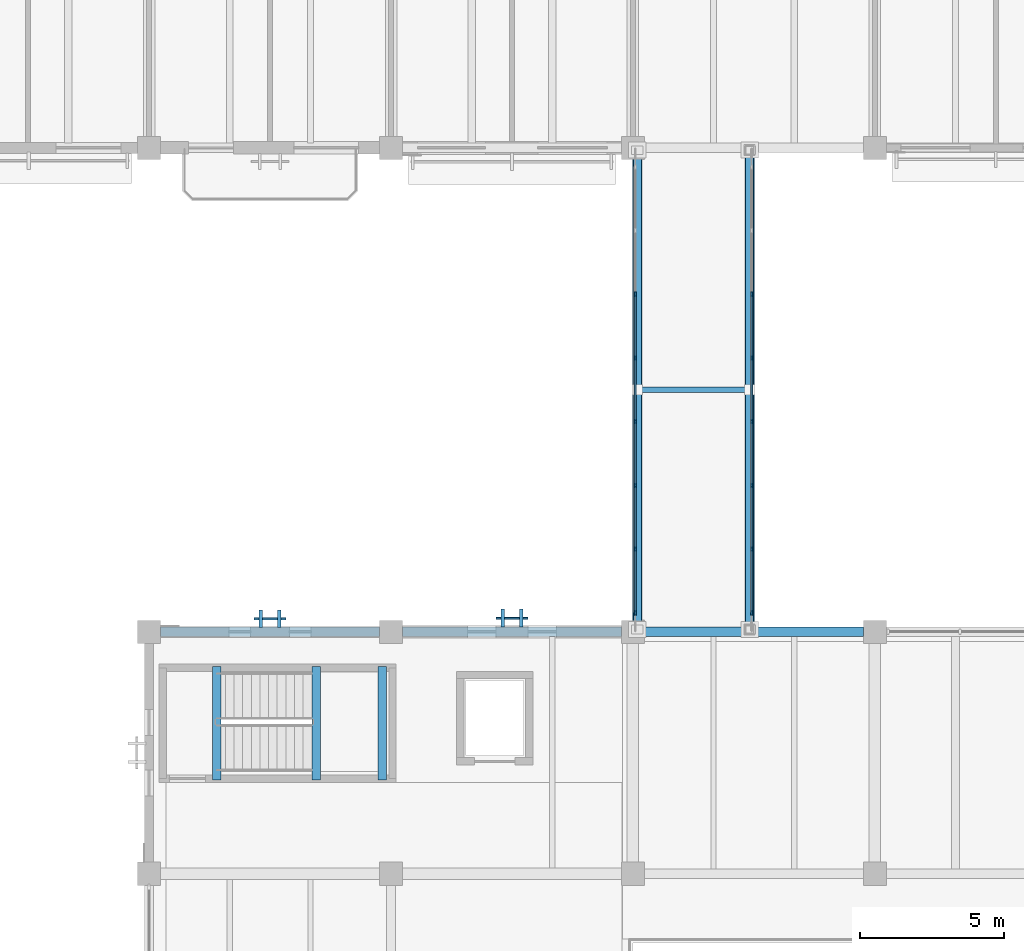
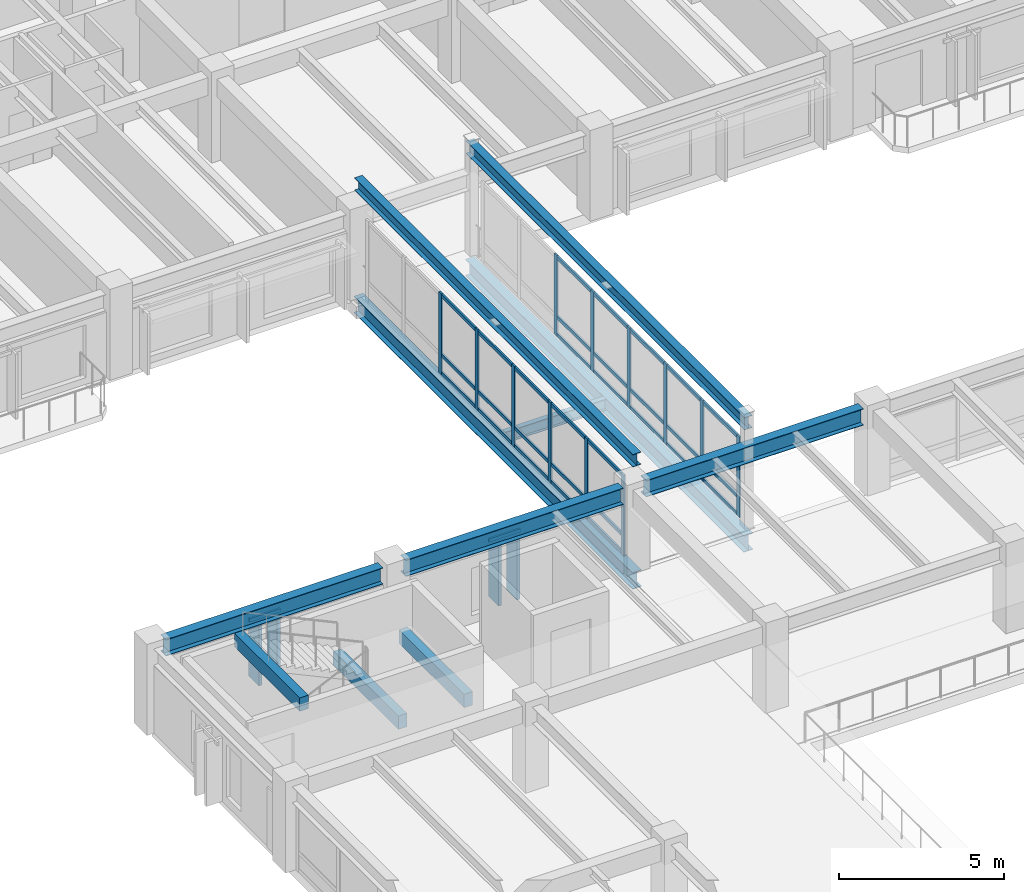
# One storey, part 14 of 123: 48 members, 11 beams, 4 elements without a shape of their own.
"""IFC4 building model written with IfcOpenShell, lengths in metres."""

from ifc_helpers import new_model, si_unit, direction, frame, origin, origin_2d, place, context, subcontext, project, spatial, rectangle, i_section, extrude, material, material_profile, profile_set, type_object, element, aggregate, save


model = new_model("IFC4")

# Units and contexts
model_context = context("Model", 3, precision=1e-05, world=origin(), true_north=direction((0.0, 1.0)))
body_context = subcontext(model_context, "Body", "Model", "MODEL_VIEW")
ifc_project = project(units=[si_unit("LENGTHUNIT", "METRE"), si_unit("AREAUNIT", "SQUARE_METRE"), si_unit("VOLUMEUNIT", "CUBIC_METRE"), si_unit("PLANEANGLEUNIT", "RADIAN"), si_unit("MASSUNIT", "GRAM", prefix="KILO")], contexts=[model_context])

# Site, building, storey
site_placement = place(None, origin())
site = spatial("IfcSite", under=ifc_project, at=site_placement, CompositionType="ELEMENT")
building_placement = place(site_placement, origin())
building = spatial("IfcBuilding", under=site, at=building_placement, Name="Cumbredor Promenade Congress Hotel", CompositionType="ELEMENT")
storey_placement = place(building_placement, frame((0.0, 0.0, 11.760009765625)))
storey = spatial("IfcBuildingStorey", under=building, at=storey_placement, Name="L03", CompositionType="ELEMENT", Elevation=11.760009765625)

# Beams
ifc_material_1 = material(Name="Steel ASTM A992 Grade 50", Category="steel")
ifc_material_profile_1 = material_profile(ifc_material_1, i_section(OverallWidth=0.323974609375, OverallDepth=0.611083984375, WebThickness=0.0126953125, FlangeThickness=0.01904296875, at=origin_2d()), Name="W24X104")
ifc_profile_set_1 = profile_set([ifc_material_profile_1], Name="Steel ASTM A992 Grade 50")
beam_type_1 = type_object("IfcBeamType", Name="BM-W24X104", PredefinedType="BEAM", material=ifc_profile_set_1)
beam_1_placement = place(storey_placement, frame((8.800048828125, 67.199951171875, 2.814453125), z_axis=(1.0, 0.0, 0.0), x_axis=(0.0, 1.0, 0.0)))
element("IfcBeam", 1, at=beam_1_placement, inside=storey, type_object=beam_type_1, Name="L04 X-Grid Beam 024", PredefinedType="BEAM", context=body_context, shape_type="SweptSolid", body=[
    extrude(i_section(OverallWidth=0.323974609375, OverallDepth=0.611083984375, WebThickness=0.0126953125, FlangeThickness=0.01904296875, at=origin_2d()), origin(), (0.0, 0.0, 1.0), 7.599853515625),
])
beam_2_placement = place(storey_placement, frame((17.199951171875, 67.199951171875, 2.814453125), z_axis=(1.0, 0.0, 0.0), x_axis=(0.0, 1.0, 0.0)))
element("IfcBeam", 2, at=beam_2_placement, inside=storey, type_object=beam_type_1, Name="L04 X-Grid Beam 042", PredefinedType="BEAM", context=body_context, shape_type="SweptSolid", body=[
    extrude(i_section(OverallWidth=0.323974609375, OverallDepth=0.611083984375, WebThickness=0.0126953125, FlangeThickness=0.01904296875, at=origin_2d()), origin(), (0.0, 0.0, 1.0), 7.60009765625),
])
beam_3_placement = place(storey_placement, frame((25.60009765625, 67.199951171875, 2.814453125), z_axis=(1.0, 0.0, 0.0), x_axis=(0.0, 1.0, 0.0)))
element("IfcBeam", 3, at=beam_3_placement, inside=storey, type_object=beam_type_1, Name="L04 X-Grid Beam 055", PredefinedType="BEAM", context=body_context, shape_type="SweptSolid", body=[
    extrude(i_section(OverallWidth=0.323974609375, OverallDepth=0.611083984375, WebThickness=0.0126953125, FlangeThickness=0.01904296875, at=origin_2d()), origin(), (0.0, 0.0, 1.0), 7.599853515625),
])
for number, where, z_axis, x_axis, name in (
    (4, (25.35009765625, 67.159912109375, -0.525390625), (0.0, 1.0, 0.0), (-1.0, 0.0, 0.0), "L03 West Congress-to-Hotel Glazed Bridge Edge Girder 1"),
    (5, (29.25, 67.159912109375, -0.525390625), (0.0, 1.0, 0.0), (-1.0, 0.0, 0.0), "L03 West Congress-to-Hotel Glazed Bridge Edge Girder 2"),
):
    element("IfcBeam", number, at=place(storey_placement, frame(where, z_axis=z_axis, x_axis=x_axis)), inside=storey, type_object=beam_type_1, Name=name, PredefinedType="BEAM", context=body_context, shape_type="SweptSolid", body=[
        extrude(i_section(OverallWidth=0.323974609375, OverallDepth=0.611083984375, WebThickness=0.0126953125, FlangeThickness=0.01904296875, at=origin_2d()), origin(), (0.0, 0.0, 1.0), 16.880126953125),
    ])

# Curtain wall, members
ifc_material_2 = material(Name="Thermally broken anodized aluminium and low-E glass", Category="aluminium")
curtain_wall_type_1 = type_object("IfcCurtainWallType", Name="Unitised Bridge Glazing Screen CW-05", PredefinedType="NOTDEFINED", material=ifc_material_2)
curtain_wall_1_placement = place(storey_placement, origin())
curtain_wall_1 = element("IfcCurtainWall", 6, at=curtain_wall_1_placement, inside=storey, type_object=curtain_wall_type_1, Name="L03 West Congress-to-Hotel Glazed Bridge West Glazing Screen", PredefinedType="NOTDEFINED")
ifc_material_3 = material(Name="Thermally broken anodized aluminium", Category="aluminium")
ifc_material_profile_2 = material_profile(ifc_material_3, rectangle(XDim=0.06494140625, YDim=0.159912109375, at=origin_2d()), Name="ALU MULLION 65x160")
ifc_profile_set_2 = profile_set([ifc_material_profile_2], Name="Thermally broken anodized aluminium")
member_type_1 = type_object("IfcMemberType", Name="Curtain Wall Mullion ML-01", PredefinedType="MULLION", material=ifc_profile_set_2)
member_1_placement = place(storey_placement, frame((25.280029296875, 67.860107421875, -0.008056640625), z_axis=(0.0, 0.0, 1.0), x_axis=(1.0, 0.0, 0.0)))
member_1 = element("IfcMember", 7, at=member_1_placement, type_object=member_type_1, Name="L03 West Congress-to-Hotel Glazed Bridge West Glazing Screen Mullion 1", PredefinedType="MULLION", context=body_context, shape_type="SweptSolid", body=[
    extrude(rectangle(XDim=0.06494140625, YDim=0.159912109375, at=origin_2d()), origin(), (0.0, 0.0, 1.0), 2.99609375),
])
member_2_placement = place(storey_placement, frame((25.280029296875, 70.0712890625, -0.008056640625), z_axis=(0.0, 0.0, 1.0), x_axis=(1.0, 0.0, 0.0)))
member_2 = element("IfcMember", 8, at=member_2_placement, type_object=member_type_1, Name="L03 West Congress-to-Hotel Glazed Bridge West Glazing Screen Mullion 2", PredefinedType="MULLION", context=body_context, shape_type="SweptSolid", body=[
    extrude(rectangle(XDim=0.06494140625, YDim=0.159912109375, at=origin_2d()), origin(), (0.0, 0.0, 1.0), 2.99609375),
])
member_3_placement = place(storey_placement, frame((25.280029296875, 72.282958984375, -0.008056640625), z_axis=(0.0, 0.0, 1.0), x_axis=(1.0, 0.0, 0.0)))
member_3 = element("IfcMember", 9, at=member_3_placement, type_object=member_type_1, Name="L03 West Congress-to-Hotel Glazed Bridge West Glazing Screen Mullion 3", PredefinedType="MULLION", context=body_context, shape_type="SweptSolid", body=[
    extrude(rectangle(XDim=0.06494140625, YDim=0.159912109375, at=origin_2d()), origin(), (0.0, 0.0, 1.0), 2.99609375),
])
member_4_placement = place(storey_placement, frame((25.280029296875, 74.494384765625, -0.008056640625), z_axis=(0.0, 0.0, 1.0), x_axis=(1.0, 0.0, 0.0)))
member_4 = element("IfcMember", 10, at=member_4_placement, type_object=member_type_1, Name="L03 West Congress-to-Hotel Glazed Bridge West Glazing Screen Mullion 4", PredefinedType="MULLION", context=body_context, shape_type="SweptSolid", body=[
    extrude(rectangle(XDim=0.06494140625, YDim=0.159912109375, at=origin_2d()), origin(), (0.0, 0.0, 1.0), 2.99609375),
])
member_5_placement = place(storey_placement, frame((25.280029296875, 76.705810546875, -0.008056640625), z_axis=(0.0, 0.0, 1.0), x_axis=(1.0, 0.0, 0.0)))
member_5 = element("IfcMember", 11, at=member_5_placement, type_object=member_type_1, Name="L03 West Congress-to-Hotel Glazed Bridge West Glazing Screen Mullion 5", PredefinedType="MULLION", context=body_context, shape_type="SweptSolid", body=[
    extrude(rectangle(XDim=0.06494140625, YDim=0.159912109375, at=origin_2d()), origin(), (0.0, 0.0, 1.0), 2.99609375),
])
member_6_placement = place(storey_placement, frame((25.280029296875, 78.9169921875, -0.008056640625), z_axis=(0.0, 0.0, 1.0), x_axis=(1.0, 0.0, 0.0)))
member_6 = element("IfcMember", 12, at=member_6_placement, type_object=member_type_1, Name="L03 West Congress-to-Hotel Glazed Bridge West Glazing Screen Mullion 6", PredefinedType="MULLION", context=body_context, shape_type="SweptSolid", body=[
    extrude(rectangle(XDim=0.06494140625, YDim=0.159912109375, at=origin_2d()), origin(), (0.0, 0.0, 1.0), 2.99609375),
])

curtain_wall_2_placement = place(storey_placement, origin())
curtain_wall_2 = element("IfcCurtainWall", 13, at=curtain_wall_2_placement, inside=storey, type_object=curtain_wall_type_1, Name="L03 West Congress-to-Hotel Glazed Bridge East Glazing Screen", PredefinedType="NOTDEFINED")
member_7_placement = place(storey_placement, frame((29.320068359375, 67.860107421875, -0.008056640625), z_axis=(0.0, 0.0, 1.0), x_axis=(1.0, 0.0, 0.0)))
member_7 = element("IfcMember", 14, at=member_7_placement, type_object=member_type_1, Name="L03 West Congress-to-Hotel Glazed Bridge East Glazing Screen Mullion 1", PredefinedType="MULLION", context=body_context, shape_type="SweptSolid", body=[
    extrude(rectangle(XDim=0.06494140625, YDim=0.159912109375, at=origin_2d()), origin(), (0.0, 0.0, 1.0), 2.99609375),
])
member_8_placement = place(storey_placement, frame((29.320068359375, 70.0712890625, -0.008056640625), z_axis=(0.0, 0.0, 1.0), x_axis=(1.0, 0.0, 0.0)))
member_8 = element("IfcMember", 15, at=member_8_placement, type_object=member_type_1, Name="L03 West Congress-to-Hotel Glazed Bridge East Glazing Screen Mullion 2", PredefinedType="MULLION", context=body_context, shape_type="SweptSolid", body=[
    extrude(rectangle(XDim=0.06494140625, YDim=0.159912109375, at=origin_2d()), origin(), (0.0, 0.0, 1.0), 2.99609375),
])
member_9_placement = place(storey_placement, frame((29.320068359375, 72.282958984375, -0.008056640625), z_axis=(0.0, 0.0, 1.0), x_axis=(1.0, 0.0, 0.0)))
member_9 = element("IfcMember", 16, at=member_9_placement, type_object=member_type_1, Name="L03 West Congress-to-Hotel Glazed Bridge East Glazing Screen Mullion 3", PredefinedType="MULLION", context=body_context, shape_type="SweptSolid", body=[
    extrude(rectangle(XDim=0.06494140625, YDim=0.159912109375, at=origin_2d()), origin(), (0.0, 0.0, 1.0), 2.99609375),
])
member_10_placement = place(storey_placement, frame((29.320068359375, 74.494384765625, -0.008056640625), z_axis=(0.0, 0.0, 1.0), x_axis=(1.0, 0.0, 0.0)))
member_10 = element("IfcMember", 17, at=member_10_placement, type_object=member_type_1, Name="L03 West Congress-to-Hotel Glazed Bridge East Glazing Screen Mullion 4", PredefinedType="MULLION", context=body_context, shape_type="SweptSolid", body=[
    extrude(rectangle(XDim=0.06494140625, YDim=0.159912109375, at=origin_2d()), origin(), (0.0, 0.0, 1.0), 2.99609375),
])
member_11_placement = place(storey_placement, frame((29.320068359375, 76.705810546875, -0.008056640625), z_axis=(0.0, 0.0, 1.0), x_axis=(1.0, 0.0, 0.0)))
member_11 = element("IfcMember", 18, at=member_11_placement, type_object=member_type_1, Name="L03 West Congress-to-Hotel Glazed Bridge East Glazing Screen Mullion 5", PredefinedType="MULLION", context=body_context, shape_type="SweptSolid", body=[
    extrude(rectangle(XDim=0.06494140625, YDim=0.159912109375, at=origin_2d()), origin(), (0.0, 0.0, 1.0), 2.99609375),
])
member_12_placement = place(storey_placement, frame((29.320068359375, 78.9169921875, -0.008056640625), z_axis=(0.0, 0.0, 1.0), x_axis=(1.0, 0.0, 0.0)))
member_12 = element("IfcMember", 19, at=member_12_placement, type_object=member_type_1, Name="L03 West Congress-to-Hotel Glazed Bridge East Glazing Screen Mullion 6", PredefinedType="MULLION", context=body_context, shape_type="SweptSolid", body=[
    extrude(rectangle(XDim=0.06494140625, YDim=0.159912109375, at=origin_2d()), origin(), (0.0, 0.0, 1.0), 2.99609375),
])

# Curtain wall, member
curtain_wall_type_2 = type_object("IfcCurtainWallType", Name="Solar Brise-Soleil Screen Assembly CW-07", PredefinedType="NOTDEFINED", material=ifc_material_2)
curtain_wall_3_placement = place(storey_placement, origin())
curtain_wall_3 = element("IfcCurtainWall", 20, at=curtain_wall_3_placement, inside=storey, type_object=curtain_wall_type_2, Name="L03 Pier Brise-Soleil Screen 0535", PredefinedType="NOTDEFINED")
ifc_material_profile_3 = material_profile(ifc_material_3, rectangle(XDim=0.06494140625, YDim=0.1298828125, at=origin_2d()), Name="ALU TRANSOM 65x130")
ifc_profile_set_3 = profile_set([ifc_material_profile_3], Name="Thermally broken anodized aluminium")
member_type_2 = type_object("IfcMemberType", Name="Curtain Wall Transom TR-01", PredefinedType="USERDEFINED", material=ifc_profile_set_3)
member_13_placement = place(storey_placement, frame((12.050048828125, 67.64990234375, 2.333984375), z_axis=(1.0, 0.0, 0.0), x_axis=(0.0, 1.0, 0.0)))
member_13 = element("IfcMember", 21, at=member_13_placement, type_object=member_type_2, Name="L03 Pier Brise-Soleil Header 0537", ObjectType="TRANSOM", PredefinedType="USERDEFINED", context=body_context, shape_type="SweptSolid", body=[
    extrude(rectangle(XDim=0.06494140625, YDim=0.1298828125, at=origin_2d()), origin(), (0.0, 0.0, 1.0), 1.099853515625),
])

curtain_wall_4_placement = place(storey_placement, origin())
curtain_wall_4 = element("IfcCurtainWall", 22, at=curtain_wall_4_placement, inside=storey, type_object=curtain_wall_type_2, Name="L03 Pier Brise-Soleil Screen 0538", PredefinedType="NOTDEFINED")
member_14_placement = place(storey_placement, frame((20.449951171875, 67.672607421875, 2.333984375), z_axis=(1.0, 0.0, 0.0), x_axis=(0.0, 1.0, 0.0)))
member_14 = element("IfcMember", 23, at=member_14_placement, type_object=member_type_2, Name="L03 Pier Brise-Soleil Header 0540", ObjectType="TRANSOM", PredefinedType="USERDEFINED", context=body_context, shape_type="SweptSolid", body=[
    extrude(rectangle(XDim=0.06494140625, YDim=0.1298828125, at=origin_2d()), origin(), (0.0, 0.0, 1.0), 1.10009765625),
])

# Member
member_15_placement = place(storey_placement, frame((25.280029296875, 67.892578125, 0.06005859375), z_axis=(0.0, 1.0, 0.0), x_axis=(-1.0, 0.0, 0.0)))
member_15 = element("IfcMember", 24, at=member_15_placement, type_object=member_type_2, Name="L03 West Congress-to-Hotel Glazed Bridge West Glazing Screen Transom 1.1", ObjectType="TRANSOM", PredefinedType="USERDEFINED", context=body_context, shape_type="SweptSolid", body=[
    extrude(rectangle(XDim=0.06494140625, YDim=0.1298828125, at=origin_2d()), origin(), (0.0, 0.0, 1.0), 2.146240234375),
])

member_16_placement = place(storey_placement, frame((25.280029296875, 67.892578125, 0.719970703125), z_axis=(0.0, 1.0, 0.0), x_axis=(-1.0, 0.0, 0.0)))
member_16 = element("IfcMember", 25, at=member_16_placement, type_object=member_type_2, Name="L03 West Congress-to-Hotel Glazed Bridge West Glazing Screen Transom 1.2", ObjectType="TRANSOM", PredefinedType="USERDEFINED", context=body_context, shape_type="SweptSolid", body=[
    extrude(rectangle(XDim=0.06494140625, YDim=0.1298828125, at=origin_2d()), origin(), (0.0, 0.0, 1.0), 2.146240234375),
])

member_17_placement = place(storey_placement, frame((25.280029296875, 67.892578125, 2.919921875), z_axis=(0.0, 1.0, 0.0), x_axis=(-1.0, 0.0, 0.0)))
member_17 = element("IfcMember", 26, at=member_17_placement, type_object=member_type_2, Name="L03 West Congress-to-Hotel Glazed Bridge West Glazing Screen Transom 1.3", ObjectType="TRANSOM", PredefinedType="USERDEFINED", context=body_context, shape_type="SweptSolid", body=[
    extrude(rectangle(XDim=0.06494140625, YDim=0.1298828125, at=origin_2d()), origin(), (0.0, 0.0, 1.0), 2.146240234375),
])

member_18_placement = place(storey_placement, frame((25.280029296875, 70.10400390625, 0.06005859375), z_axis=(0.0, 1.0, 0.0), x_axis=(-1.0, 0.0, 0.0)))
member_18 = element("IfcMember", 27, at=member_18_placement, type_object=member_type_2, Name="L03 West Congress-to-Hotel Glazed Bridge West Glazing Screen Transom 2.1", ObjectType="TRANSOM", PredefinedType="USERDEFINED", context=body_context, shape_type="SweptSolid", body=[
    extrude(rectangle(XDim=0.06494140625, YDim=0.1298828125, at=origin_2d()), origin(), (0.0, 0.0, 1.0), 2.146484375),
])

member_19_placement = place(storey_placement, frame((25.280029296875, 70.10400390625, 0.719970703125), z_axis=(0.0, 1.0, 0.0), x_axis=(-1.0, 0.0, 0.0)))
member_19 = element("IfcMember", 28, at=member_19_placement, type_object=member_type_2, Name="L03 West Congress-to-Hotel Glazed Bridge West Glazing Screen Transom 2.2", ObjectType="TRANSOM", PredefinedType="USERDEFINED", context=body_context, shape_type="SweptSolid", body=[
    extrude(rectangle(XDim=0.06494140625, YDim=0.1298828125, at=origin_2d()), origin(), (0.0, 0.0, 1.0), 2.146484375),
])

member_20_placement = place(storey_placement, frame((25.280029296875, 70.10400390625, 2.919921875), z_axis=(0.0, 1.0, 0.0), x_axis=(-1.0, 0.0, 0.0)))
member_20 = element("IfcMember", 29, at=member_20_placement, type_object=member_type_2, Name="L03 West Congress-to-Hotel Glazed Bridge West Glazing Screen Transom 2.3", ObjectType="TRANSOM", PredefinedType="USERDEFINED", context=body_context, shape_type="SweptSolid", body=[
    extrude(rectangle(XDim=0.06494140625, YDim=0.1298828125, at=origin_2d()), origin(), (0.0, 0.0, 1.0), 2.146484375),
])

member_21_placement = place(storey_placement, frame((25.280029296875, 72.3154296875, 0.06005859375), z_axis=(0.0, 1.0, 0.0), x_axis=(-1.0, 0.0, 0.0)))
member_21 = element("IfcMember", 30, at=member_21_placement, type_object=member_type_2, Name="L03 West Congress-to-Hotel Glazed Bridge West Glazing Screen Transom 3.1", ObjectType="TRANSOM", PredefinedType="USERDEFINED", context=body_context, shape_type="SweptSolid", body=[
    extrude(rectangle(XDim=0.06494140625, YDim=0.1298828125, at=origin_2d()), origin(), (0.0, 0.0, 1.0), 2.146484375),
])

member_22_placement = place(storey_placement, frame((25.280029296875, 72.3154296875, 0.719970703125), z_axis=(0.0, 1.0, 0.0), x_axis=(-1.0, 0.0, 0.0)))
member_22 = element("IfcMember", 31, at=member_22_placement, type_object=member_type_2, Name="L03 West Congress-to-Hotel Glazed Bridge West Glazing Screen Transom 3.2", ObjectType="TRANSOM", PredefinedType="USERDEFINED", context=body_context, shape_type="SweptSolid", body=[
    extrude(rectangle(XDim=0.06494140625, YDim=0.1298828125, at=origin_2d()), origin(), (0.0, 0.0, 1.0), 2.146484375),
])

member_23_placement = place(storey_placement, frame((25.280029296875, 72.3154296875, 2.919921875), z_axis=(0.0, 1.0, 0.0), x_axis=(-1.0, 0.0, 0.0)))
member_23 = element("IfcMember", 32, at=member_23_placement, type_object=member_type_2, Name="L03 West Congress-to-Hotel Glazed Bridge West Glazing Screen Transom 3.3", ObjectType="TRANSOM", PredefinedType="USERDEFINED", context=body_context, shape_type="SweptSolid", body=[
    extrude(rectangle(XDim=0.06494140625, YDim=0.1298828125, at=origin_2d()), origin(), (0.0, 0.0, 1.0), 2.146484375),
])

member_24_placement = place(storey_placement, frame((25.280029296875, 74.52685546875, 0.06005859375), z_axis=(0.0, 1.0, 0.0), x_axis=(-1.0, 0.0, 0.0)))
member_24 = element("IfcMember", 33, at=member_24_placement, type_object=member_type_2, Name="L03 West Congress-to-Hotel Glazed Bridge West Glazing Screen Transom 4.1", ObjectType="TRANSOM", PredefinedType="USERDEFINED", context=body_context, shape_type="SweptSolid", body=[
    extrude(rectangle(XDim=0.06494140625, YDim=0.1298828125, at=origin_2d()), origin(), (0.0, 0.0, 1.0), 2.146240234375),
])

member_25_placement = place(storey_placement, frame((25.280029296875, 74.52685546875, 0.719970703125), z_axis=(0.0, 1.0, 0.0), x_axis=(-1.0, 0.0, 0.0)))
member_25 = element("IfcMember", 34, at=member_25_placement, type_object=member_type_2, Name="L03 West Congress-to-Hotel Glazed Bridge West Glazing Screen Transom 4.2", ObjectType="TRANSOM", PredefinedType="USERDEFINED", context=body_context, shape_type="SweptSolid", body=[
    extrude(rectangle(XDim=0.06494140625, YDim=0.1298828125, at=origin_2d()), origin(), (0.0, 0.0, 1.0), 2.146240234375),
])

member_26_placement = place(storey_placement, frame((25.280029296875, 74.52685546875, 2.919921875), z_axis=(0.0, 1.0, 0.0), x_axis=(-1.0, 0.0, 0.0)))
member_26 = element("IfcMember", 35, at=member_26_placement, type_object=member_type_2, Name="L03 West Congress-to-Hotel Glazed Bridge West Glazing Screen Transom 4.3", ObjectType="TRANSOM", PredefinedType="USERDEFINED", context=body_context, shape_type="SweptSolid", body=[
    extrude(rectangle(XDim=0.06494140625, YDim=0.1298828125, at=origin_2d()), origin(), (0.0, 0.0, 1.0), 2.146240234375),
])

member_27_placement = place(storey_placement, frame((25.280029296875, 76.73828125, 0.06005859375), z_axis=(0.0, 1.0, 0.0), x_axis=(-1.0, 0.0, 0.0)))
member_27 = element("IfcMember", 36, at=member_27_placement, type_object=member_type_2, Name="L03 West Congress-to-Hotel Glazed Bridge West Glazing Screen Transom 5.1", ObjectType="TRANSOM", PredefinedType="USERDEFINED", context=body_context, shape_type="SweptSolid", body=[
    extrude(rectangle(XDim=0.06494140625, YDim=0.1298828125, at=origin_2d()), origin(), (0.0, 0.0, 1.0), 2.146240234375),
])

member_28_placement = place(storey_placement, frame((25.280029296875, 76.73828125, 0.719970703125), z_axis=(0.0, 1.0, 0.0), x_axis=(-1.0, 0.0, 0.0)))
member_28 = element("IfcMember", 37, at=member_28_placement, type_object=member_type_2, Name="L03 West Congress-to-Hotel Glazed Bridge West Glazing Screen Transom 5.2", ObjectType="TRANSOM", PredefinedType="USERDEFINED", context=body_context, shape_type="SweptSolid", body=[
    extrude(rectangle(XDim=0.06494140625, YDim=0.1298828125, at=origin_2d()), origin(), (0.0, 0.0, 1.0), 2.146240234375),
])

member_29_placement = place(storey_placement, frame((25.280029296875, 76.73828125, 2.919921875), z_axis=(0.0, 1.0, 0.0), x_axis=(-1.0, 0.0, 0.0)))
member_29 = element("IfcMember", 38, at=member_29_placement, type_object=member_type_2, Name="L03 West Congress-to-Hotel Glazed Bridge West Glazing Screen Transom 5.3", ObjectType="TRANSOM", PredefinedType="USERDEFINED", context=body_context, shape_type="SweptSolid", body=[
    extrude(rectangle(XDim=0.06494140625, YDim=0.1298828125, at=origin_2d()), origin(), (0.0, 0.0, 1.0), 2.146240234375),
])

aggregate(curtain_wall_1, [member_1, member_2, member_3, member_4, member_5, member_6, member_15, member_16, member_17, member_18, member_19, member_20, member_21, member_22, member_23, member_24, member_25, member_26, member_27, member_28, member_29])

member_30_placement = place(storey_placement, frame((29.320068359375, 67.892578125, 0.06005859375), z_axis=(0.0, 1.0, 0.0), x_axis=(-1.0, 0.0, 0.0)))
member_30 = element("IfcMember", 39, at=member_30_placement, type_object=member_type_2, Name="L03 West Congress-to-Hotel Glazed Bridge East Glazing Screen Transom 1.1", ObjectType="TRANSOM", PredefinedType="USERDEFINED", context=body_context, shape_type="SweptSolid", body=[
    extrude(rectangle(XDim=0.06494140625, YDim=0.1298828125, at=origin_2d()), origin(), (0.0, 0.0, 1.0), 2.146240234375),
])

member_31_placement = place(storey_placement, frame((29.320068359375, 67.892578125, 0.719970703125), z_axis=(0.0, 1.0, 0.0), x_axis=(-1.0, 0.0, 0.0)))
member_31 = element("IfcMember", 40, at=member_31_placement, type_object=member_type_2, Name="L03 West Congress-to-Hotel Glazed Bridge East Glazing Screen Transom 1.2", ObjectType="TRANSOM", PredefinedType="USERDEFINED", context=body_context, shape_type="SweptSolid", body=[
    extrude(rectangle(XDim=0.06494140625, YDim=0.1298828125, at=origin_2d()), origin(), (0.0, 0.0, 1.0), 2.146240234375),
])

member_32_placement = place(storey_placement, frame((29.320068359375, 67.892578125, 2.919921875), z_axis=(0.0, 1.0, 0.0), x_axis=(-1.0, 0.0, 0.0)))
member_32 = element("IfcMember", 41, at=member_32_placement, type_object=member_type_2, Name="L03 West Congress-to-Hotel Glazed Bridge East Glazing Screen Transom 1.3", ObjectType="TRANSOM", PredefinedType="USERDEFINED", context=body_context, shape_type="SweptSolid", body=[
    extrude(rectangle(XDim=0.06494140625, YDim=0.1298828125, at=origin_2d()), origin(), (0.0, 0.0, 1.0), 2.146240234375),
])

member_33_placement = place(storey_placement, frame((29.320068359375, 70.10400390625, 0.06005859375), z_axis=(0.0, 1.0, 0.0), x_axis=(-1.0, 0.0, 0.0)))
member_33 = element("IfcMember", 42, at=member_33_placement, type_object=member_type_2, Name="L03 West Congress-to-Hotel Glazed Bridge East Glazing Screen Transom 2.1", ObjectType="TRANSOM", PredefinedType="USERDEFINED", context=body_context, shape_type="SweptSolid", body=[
    extrude(rectangle(XDim=0.06494140625, YDim=0.1298828125, at=origin_2d()), origin(), (0.0, 0.0, 1.0), 2.146484375),
])

member_34_placement = place(storey_placement, frame((29.320068359375, 70.10400390625, 0.719970703125), z_axis=(0.0, 1.0, 0.0), x_axis=(-1.0, 0.0, 0.0)))
member_34 = element("IfcMember", 43, at=member_34_placement, type_object=member_type_2, Name="L03 West Congress-to-Hotel Glazed Bridge East Glazing Screen Transom 2.2", ObjectType="TRANSOM", PredefinedType="USERDEFINED", context=body_context, shape_type="SweptSolid", body=[
    extrude(rectangle(XDim=0.06494140625, YDim=0.1298828125, at=origin_2d()), origin(), (0.0, 0.0, 1.0), 2.146484375),
])

member_35_placement = place(storey_placement, frame((29.320068359375, 70.10400390625, 2.919921875), z_axis=(0.0, 1.0, 0.0), x_axis=(-1.0, 0.0, 0.0)))
member_35 = element("IfcMember", 44, at=member_35_placement, type_object=member_type_2, Name="L03 West Congress-to-Hotel Glazed Bridge East Glazing Screen Transom 2.3", ObjectType="TRANSOM", PredefinedType="USERDEFINED", context=body_context, shape_type="SweptSolid", body=[
    extrude(rectangle(XDim=0.06494140625, YDim=0.1298828125, at=origin_2d()), origin(), (0.0, 0.0, 1.0), 2.146484375),
])

member_36_placement = place(storey_placement, frame((29.320068359375, 72.3154296875, 0.06005859375), z_axis=(0.0, 1.0, 0.0), x_axis=(-1.0, 0.0, 0.0)))
member_36 = element("IfcMember", 45, at=member_36_placement, type_object=member_type_2, Name="L03 West Congress-to-Hotel Glazed Bridge East Glazing Screen Transom 3.1", ObjectType="TRANSOM", PredefinedType="USERDEFINED", context=body_context, shape_type="SweptSolid", body=[
    extrude(rectangle(XDim=0.06494140625, YDim=0.1298828125, at=origin_2d()), origin(), (0.0, 0.0, 1.0), 2.146484375),
])

member_37_placement = place(storey_placement, frame((29.320068359375, 72.3154296875, 0.719970703125), z_axis=(0.0, 1.0, 0.0), x_axis=(-1.0, 0.0, 0.0)))
member_37 = element("IfcMember", 46, at=member_37_placement, type_object=member_type_2, Name="L03 West Congress-to-Hotel Glazed Bridge East Glazing Screen Transom 3.2", ObjectType="TRANSOM", PredefinedType="USERDEFINED", context=body_context, shape_type="SweptSolid", body=[
    extrude(rectangle(XDim=0.06494140625, YDim=0.1298828125, at=origin_2d()), origin(), (0.0, 0.0, 1.0), 2.146484375),
])

member_38_placement = place(storey_placement, frame((29.320068359375, 72.3154296875, 2.919921875), z_axis=(0.0, 1.0, 0.0), x_axis=(-1.0, 0.0, 0.0)))
member_38 = element("IfcMember", 47, at=member_38_placement, type_object=member_type_2, Name="L03 West Congress-to-Hotel Glazed Bridge East Glazing Screen Transom 3.3", ObjectType="TRANSOM", PredefinedType="USERDEFINED", context=body_context, shape_type="SweptSolid", body=[
    extrude(rectangle(XDim=0.06494140625, YDim=0.1298828125, at=origin_2d()), origin(), (0.0, 0.0, 1.0), 2.146484375),
])

member_39_placement = place(storey_placement, frame((29.320068359375, 74.52685546875, 0.06005859375), z_axis=(0.0, 1.0, 0.0), x_axis=(-1.0, 0.0, 0.0)))
member_39 = element("IfcMember", 48, at=member_39_placement, type_object=member_type_2, Name="L03 West Congress-to-Hotel Glazed Bridge East Glazing Screen Transom 4.1", ObjectType="TRANSOM", PredefinedType="USERDEFINED", context=body_context, shape_type="SweptSolid", body=[
    extrude(rectangle(XDim=0.06494140625, YDim=0.1298828125, at=origin_2d()), origin(), (0.0, 0.0, 1.0), 2.146240234375),
])

member_40_placement = place(storey_placement, frame((29.320068359375, 74.52685546875, 0.719970703125), z_axis=(0.0, 1.0, 0.0), x_axis=(-1.0, 0.0, 0.0)))
member_40 = element("IfcMember", 49, at=member_40_placement, type_object=member_type_2, Name="L03 West Congress-to-Hotel Glazed Bridge East Glazing Screen Transom 4.2", ObjectType="TRANSOM", PredefinedType="USERDEFINED", context=body_context, shape_type="SweptSolid", body=[
    extrude(rectangle(XDim=0.06494140625, YDim=0.1298828125, at=origin_2d()), origin(), (0.0, 0.0, 1.0), 2.146240234375),
])

member_41_placement = place(storey_placement, frame((29.320068359375, 74.52685546875, 2.919921875), z_axis=(0.0, 1.0, 0.0), x_axis=(-1.0, 0.0, 0.0)))
member_41 = element("IfcMember", 50, at=member_41_placement, type_object=member_type_2, Name="L03 West Congress-to-Hotel Glazed Bridge East Glazing Screen Transom 4.3", ObjectType="TRANSOM", PredefinedType="USERDEFINED", context=body_context, shape_type="SweptSolid", body=[
    extrude(rectangle(XDim=0.06494140625, YDim=0.1298828125, at=origin_2d()), origin(), (0.0, 0.0, 1.0), 2.146240234375),
])

member_42_placement = place(storey_placement, frame((29.320068359375, 76.73828125, 0.06005859375), z_axis=(0.0, 1.0, 0.0), x_axis=(-1.0, 0.0, 0.0)))
member_42 = element("IfcMember", 51, at=member_42_placement, type_object=member_type_2, Name="L03 West Congress-to-Hotel Glazed Bridge East Glazing Screen Transom 5.1", ObjectType="TRANSOM", PredefinedType="USERDEFINED", context=body_context, shape_type="SweptSolid", body=[
    extrude(rectangle(XDim=0.06494140625, YDim=0.1298828125, at=origin_2d()), origin(), (0.0, 0.0, 1.0), 2.146240234375),
])

member_43_placement = place(storey_placement, frame((29.320068359375, 76.73828125, 0.719970703125), z_axis=(0.0, 1.0, 0.0), x_axis=(-1.0, 0.0, 0.0)))
member_43 = element("IfcMember", 52, at=member_43_placement, type_object=member_type_2, Name="L03 West Congress-to-Hotel Glazed Bridge East Glazing Screen Transom 5.2", ObjectType="TRANSOM", PredefinedType="USERDEFINED", context=body_context, shape_type="SweptSolid", body=[
    extrude(rectangle(XDim=0.06494140625, YDim=0.1298828125, at=origin_2d()), origin(), (0.0, 0.0, 1.0), 2.146240234375),
])

member_44_placement = place(storey_placement, frame((29.320068359375, 76.73828125, 2.919921875), z_axis=(0.0, 1.0, 0.0), x_axis=(-1.0, 0.0, 0.0)))
member_44 = element("IfcMember", 53, at=member_44_placement, type_object=member_type_2, Name="L03 West Congress-to-Hotel Glazed Bridge East Glazing Screen Transom 5.3", ObjectType="TRANSOM", PredefinedType="USERDEFINED", context=body_context, shape_type="SweptSolid", body=[
    extrude(rectangle(XDim=0.06494140625, YDim=0.1298828125, at=origin_2d()), origin(), (0.0, 0.0, 1.0), 2.146240234375),
])

aggregate(curtain_wall_2, [member_7, member_8, member_9, member_10, member_11, member_12, member_30, member_31, member_32, member_33, member_34, member_35, member_36, member_37, member_38, member_39, member_40, member_41, member_42, member_43, member_44])

# Beams
ifc_material_profile_4 = material_profile(ifc_material_1, i_section(OverallWidth=0.180908203125, OverallDepth=0.4169921875, WebThickness=0.010986328125, FlangeThickness=0.018310546875, at=origin_2d()), Name="W16X57")
ifc_profile_set_4 = profile_set([ifc_material_profile_4], Name="Steel ASTM A992 Grade 50")
beam_type_2 = type_object("IfcBeamType", Name="JST-W16X57", PredefinedType="JOIST", material=ifc_profile_set_4)
beam_4_placement = place(storey_placement, frame((25.5, 75.60009765625, -0.428466796875), z_axis=(1.0, 0.0, 0.0), x_axis=(0.0, 1.0, 0.0)))
element("IfcBeam", 54, at=beam_4_placement, inside=storey, type_object=beam_type_2, Name="L03 West Congress-to-Hotel Glazed Bridge Cross Beam", PredefinedType="JOIST", context=body_context, shape_type="SweptSolid", body=[
    extrude(i_section(OverallWidth=0.180908203125, OverallDepth=0.4169921875, WebThickness=0.010986328125, FlangeThickness=0.018310546875, at=origin_2d()), origin(), (0.0, 0.0, 1.0), 3.60009765625),
])
ifc_material_profile_5 = material_profile(ifc_material_1, i_section(OverallWidth=0.280029296875, OverallDepth=0.462890625, WebThickness=0.0107421875, FlangeThickness=0.017333984375, at=origin_2d()), Name="W18X76")
ifc_profile_set_5 = profile_set([ifc_material_profile_5], Name="Steel ASTM A992 Grade 50")
beam_type_3 = type_object("IfcBeamType", Name="JST-W18X76", PredefinedType="JOIST", material=ifc_profile_set_5)
for number, where, z_axis, x_axis, name in (
    (55, (25.35009765625, 67.159912109375, 3.91357421875), (0.0, 1.0, 0.0), (-1.0, 0.0, 0.0), "West Congress-to-Hotel Glazed Bridge Roof Edge Beam 1"),
    (56, (29.25, 67.159912109375, 3.91357421875), (0.0, 1.0, 0.0), (-1.0, 0.0, 0.0), "West Congress-to-Hotel Glazed Bridge Roof Edge Beam 2"),
):
    element("IfcBeam", number, at=place(storey_placement, frame(where, z_axis=z_axis, x_axis=x_axis)), inside=storey, type_object=beam_type_3, Name=name, PredefinedType="JOIST", context=body_context, shape_type="SweptSolid", body=[
        extrude(i_section(OverallWidth=0.280029296875, OverallDepth=0.462890625, WebThickness=0.0107421875, FlangeThickness=0.017333984375, at=origin_2d()), origin(), (0.0, 0.0, 1.0), 16.880126953125),
    ])
ifc_material_4 = material(Name="Concrete C40/50", Category="concrete")
ifc_material_profile_6 = material_profile(ifc_material_4, rectangle(XDim=0.300048828125, YDim=0.5, at=origin_2d()), Name="RC LINTEL 300x500")
ifc_profile_set_6 = profile_set([ifc_material_profile_6], Name="Concrete C40/50")
beam_type_4 = type_object("IfcBeamType", Name="LN-RC-300x500", PredefinedType="LINTEL", material=ifc_profile_set_6)
for number, where, z_axis, x_axis, name in (
    (57, (16.5, 62.050048828125, 1.22998046875), (0.0, 1.0, 0.0), (-1.0, 0.0, 0.0), "L03 Stair ST-06 Landing Ledger Beam E"),
    (58, (14.199951171875, 62.050048828125, 1.22998046875), (0.0, 1.0, 0.0), (-1.0, 0.0, 0.0), "L03 Stair ST-06 Landing Ledger Beam W"),
    (59, (10.75, 62.050048828125, 3.110107421875), (0.0, 1.0, 0.0), (-1.0, 0.0, 0.0), "L04 Stair ST-06 Well Header Trimmer Beam"),
):
    element("IfcBeam", number, at=place(storey_placement, frame(where, z_axis=z_axis, x_axis=x_axis)), inside=storey, type_object=beam_type_4, Name=name, PredefinedType="LINTEL", context=body_context, shape_type="SweptSolid", body=[
        extrude(rectangle(XDim=0.300048828125, YDim=0.5, at=origin_2d()), origin(), (0.0, 0.0, 1.0), 3.949951171875),
    ])

# Member
ifc_material_profile_7 = material_profile(ifc_material_3, rectangle(XDim=0.110107421875, YDim=0.6201171875, at=origin_2d()), Name="ARCH FIN 110x620")
ifc_profile_set_7 = profile_set([ifc_material_profile_7], Name="Thermally broken anodized aluminium")
member_type_3 = type_object("IfcMemberType", Name="Vertical Bronze Brise-Soleil Fin BSF-02 110x620", PredefinedType="USERDEFINED", material=ifc_profile_set_7)
member_45_placement = place(storey_placement, frame((12.280029296875, 67.64990234375, 0.02001953125), z_axis=(0.0, 0.0, 1.0), x_axis=(1.0, 0.0, 0.0)))
member_45 = element("IfcMember", 60, at=member_45_placement, type_object=member_type_3, Name="L03 Pier Brise-Soleil Fin 0536", ObjectType="SOLAR FIN", PredefinedType="USERDEFINED", context=body_context, shape_type="SweptSolid", body=[
    extrude(rectangle(XDim=0.110107421875, YDim=0.6201171875, at=origin_2d()), origin(), (0.0, 0.0, 1.0), 2.35400390625),
])

member_46_placement = place(storey_placement, frame((12.919921875, 67.64990234375, 0.02001953125), z_axis=(0.0, 0.0, 1.0), x_axis=(1.0, 0.0, 0.0)))
member_46 = element("IfcMember", 61, at=member_46_placement, type_object=member_type_3, Name="L03 Pier Brise-Soleil Fin 0537", ObjectType="SOLAR FIN", PredefinedType="USERDEFINED", context=body_context, shape_type="SweptSolid", body=[
    extrude(rectangle(XDim=0.110107421875, YDim=0.6201171875, at=origin_2d()), origin(), (0.0, 0.0, 1.0), 2.35400390625),
])

aggregate(curtain_wall_3, [member_45, member_46, member_13])

member_47_placement = place(storey_placement, frame((20.679931640625, 67.672607421875, 0.02001953125), z_axis=(0.0, 0.0, 1.0), x_axis=(1.0, 0.0, 0.0)))
member_47 = element("IfcMember", 62, at=member_47_placement, type_object=member_type_3, Name="L03 Pier Brise-Soleil Fin 0539", ObjectType="SOLAR FIN", PredefinedType="USERDEFINED", context=body_context, shape_type="SweptSolid", body=[
    extrude(rectangle(XDim=0.110107421875, YDim=0.6201171875, at=origin_2d()), origin(), (0.0, 0.0, 1.0), 2.35400390625),
])

member_48_placement = place(storey_placement, frame((21.320068359375, 67.672607421875, 0.02001953125), z_axis=(0.0, 0.0, 1.0), x_axis=(1.0, 0.0, 0.0)))
member_48 = element("IfcMember", 63, at=member_48_placement, type_object=member_type_3, Name="L03 Pier Brise-Soleil Fin 0540", ObjectType="SOLAR FIN", PredefinedType="USERDEFINED", context=body_context, shape_type="SweptSolid", body=[
    extrude(rectangle(XDim=0.110107421875, YDim=0.6201171875, at=origin_2d()), origin(), (0.0, 0.0, 1.0), 2.35400390625),
])

aggregate(curtain_wall_4, [member_47, member_48, member_14])

save(model, "model.ifc")
